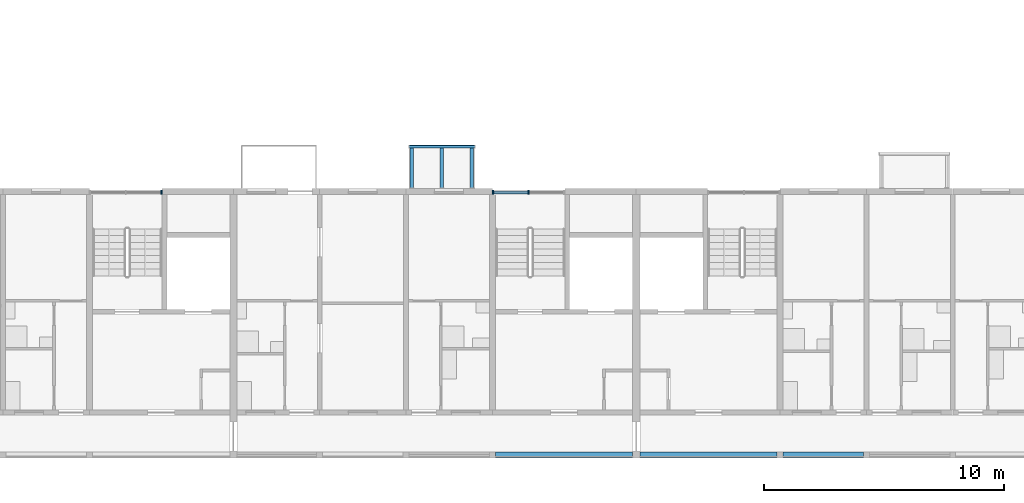
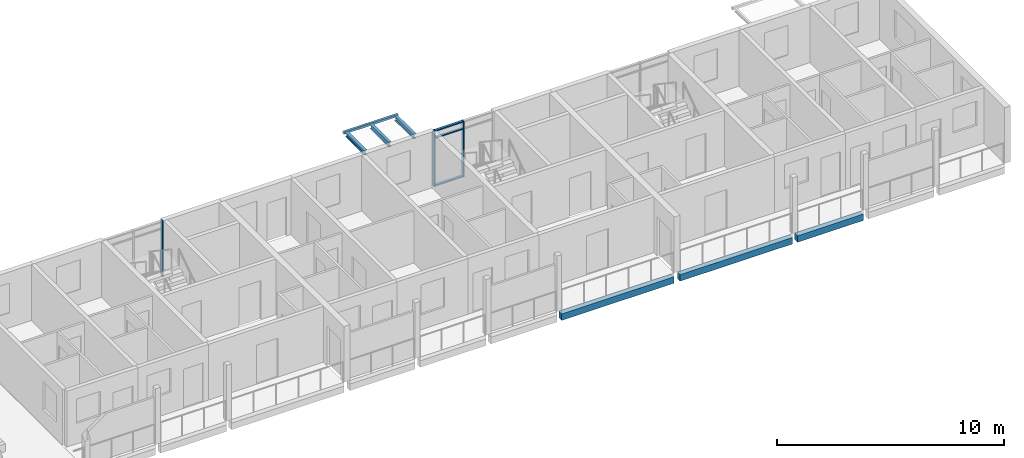
# One storey, part 9 of 78: 7 beams, 6 members, 2 elements without a shape of their own.
"""IFC4 building model written with IfcOpenShell, lengths in metres."""

from ifc_helpers import new_model, si_unit, direction, frame, origin, origin_2d, place, context, subcontext, project, spatial, rectangle, hollow_rectangle, i_section, extrude, material, material_profile, profile_set, type_object, element, aggregate, save


model = new_model("IFC4")

# Units and contexts
model_context = context("Model", 3, precision=1e-05, world=origin(), true_north=direction((0.0, 1.0)))
body_context = subcontext(model_context, "Body", "Model", "MODEL_VIEW")
ifc_project = project(units=[si_unit("LENGTHUNIT", "METRE"), si_unit("AREAUNIT", "SQUARE_METRE"), si_unit("VOLUMEUNIT", "CUBIC_METRE"), si_unit("PLANEANGLEUNIT", "RADIAN"), si_unit("MASSUNIT", "GRAM", prefix="KILO")], contexts=[model_context])

# Site, building, storey
site_placement = place(None, origin())
site = spatial("IfcSite", under=ifc_project, at=site_placement, CompositionType="ELEMENT")
building_placement = place(site_placement, origin())
building = spatial("IfcBuilding", under=site, at=building_placement, Name="Ridgestep Commons", CompositionType="ELEMENT")
storey_placement = place(building_placement, frame((0.0, 0.0, 30.0)))
storey = spatial("IfcBuildingStorey", under=building, at=storey_placement, Name="L10", CompositionType="ELEMENT", Elevation=30.0)

# Beams
ifc_material_1 = material(Name="Precast concrete C40/50", Category="concrete")
ifc_material_profile_1 = material_profile(ifc_material_1, rectangle(XDim=0.25, YDim=0.35009765625, at=origin_2d()), Name="PC 250x350")
ifc_profile_set_1 = profile_set([ifc_material_profile_1], Name="Precast concrete C40/50")
beam_type_1 = type_object("IfcBeamType", Name="Loggia edge beam 250 x 350", PredefinedType="SPANDREL", material=ifc_profile_set_1)
for number, where, z_axis, x_axis, name in (
    (1, (90.125, 11.875, -0.375), (1.0, 0.0, 0.0), (0.0, 1.0, 0.0), "Loggia edge beam A5C L10"),
    (2, (96.14990234375, 11.875, -0.375), (1.0, 0.0, 0.0), (0.0, 1.0, 0.0), "Loggia edge beam A6C L10"),
):
    element("IfcBeam", number, at=place(storey_placement, frame(where, z_axis=z_axis, x_axis=x_axis)), inside=storey, type_object=beam_type_1, Name=name, PredefinedType="SPANDREL", context=body_context, shape_type="SweptSolid", body=[
        extrude(rectangle(XDim=0.25, YDim=0.35009765625, at=origin_2d()), origin(), (0.0, 0.0, 1.0), 5.72509765625),
    ])
beam_1_placement = place(storey_placement, frame((102.125, 11.875, -0.375), z_axis=(1.0, 0.0, 0.0), x_axis=(0.0, 1.0, 0.0)))
element("IfcBeam", 3, at=beam_1_placement, inside=storey, type_object=beam_type_1, Name="Loggia edge beam A6T3 L10", PredefinedType="SPANDREL", context=body_context, shape_type="SweptSolid", body=[
    extrude(rectangle(XDim=0.25, YDim=0.35009765625, at=origin_2d()), origin(), (0.0, 0.0, 1.0), 3.35009765625),
])

# Curtain wall, member
ifc_material_2 = material(Name="Aluminium 6063-T6 and glass", Category="aluminium")
curtain_wall_type = type_object("IfcCurtainWallType", Name="Curtain wall stair strip", PredefinedType="NOTDEFINED", material=ifc_material_2)
curtain_wall_1_placement = place(storey_placement, origin())
curtain_wall_1 = element("IfcCurtainWall", 4, at=curtain_wall_1_placement, inside=storey, type_object=curtain_wall_type, Name="Curtain wall A4C level 10", PredefinedType="NOTDEFINED")
ifc_material_3 = material(Name="Aluminium 6063-T6", Category="aluminium")
ifc_material_profile_2 = material_profile(ifc_material_3, rectangle(XDim=0.159912109375, YDim=0.06005859375, at=origin_2d()), Name="Mullion 60 x 160")
ifc_profile_set_2 = profile_set([ifc_material_profile_2], Name="Aluminium 6063-T6")
member_type_1 = type_object("IfcMemberType", Name="Mullion 60 x 160", PredefinedType="MULLION", material=ifc_profile_set_2)
member_1_placement = place(storey_placement, frame((76.195068359375, 22.830078125, 0.0), z_axis=(0.0, 0.0, 1.0), x_axis=(0.0, 1.0, 0.0)))
member_1 = element("IfcMember", 5, at=member_1_placement, type_object=member_type_1, Name="CW1 mullion 3", PredefinedType="MULLION", context=body_context, shape_type="SweptSolid", body=[
    extrude(rectangle(XDim=0.159912109375, YDim=0.06005859375, at=origin_2d()), origin(), (0.0, 0.0, 1.0), 3.0),
])
aggregate(curtain_wall_1, [member_1])

# Curtain wall, members
curtain_wall_2_placement = place(storey_placement, origin())
curtain_wall_2 = element("IfcCurtainWall", 6, at=curtain_wall_2_placement, inside=storey, type_object=curtain_wall_type, Name="Curtain wall A5C level 10", PredefinedType="NOTDEFINED")
member_2_placement = place(storey_placement, frame((90.030029296875, 22.830078125, 0.0), z_axis=(0.0, 0.0, 1.0), x_axis=(0.0, 1.0, 0.0)))
member_2 = element("IfcMember", 7, at=member_2_placement, type_object=member_type_1, Name="CW1 mullion 1", PredefinedType="MULLION", context=body_context, shape_type="SweptSolid", body=[
    extrude(rectangle(XDim=0.159912109375, YDim=0.06005859375, at=origin_2d()), origin(), (0.0, 0.0, 1.0), 3.0),
])
member_3_placement = place(storey_placement, frame((91.512451171875, 22.830078125, 0.0), z_axis=(0.0, 0.0, 1.0), x_axis=(0.0, 1.0, 0.0)))
member_3 = element("IfcMember", 8, at=member_3_placement, type_object=member_type_1, Name="CW1 mullion 2", PredefinedType="MULLION", context=body_context, shape_type="SweptSolid", body=[
    extrude(rectangle(XDim=0.159912109375, YDim=0.06005859375, at=origin_2d()), origin(), (0.0, 0.0, 1.0), 3.0),
])
ifc_material_4 = material(Name="Aluminium 6063-T6", Category="aluminium")
ifc_material_profile_3 = material_profile(ifc_material_4, rectangle(XDim=0.1201171875, YDim=0.06005859375, at=origin_2d()), Name="Transom 60 x 120")
ifc_profile_set_3 = profile_set([ifc_material_profile_3], Name="Aluminium 6063-T6")
member_type_2 = type_object("IfcMemberType", Name="Transom 60 x 120", PredefinedType="USERDEFINED", material=ifc_profile_set_3)
member_4_placement = place(storey_placement, frame((90.06005859375, 22.830078125, 0.030029296875), z_axis=(1.0, 0.0, 0.0), x_axis=(0.0, 1.0, 0.0)))
member_4 = element("IfcMember", 9, at=member_4_placement, type_object=member_type_2, Name="CW1 transom 1.1", ObjectType="TRANSOM", PredefinedType="USERDEFINED", context=body_context, shape_type="SweptSolid", body=[
    extrude(rectangle(XDim=0.1201171875, YDim=0.06005859375, at=origin_2d()), origin(), (0.0, 0.0, 1.0), 1.42236328125),
])
member_5_placement = place(storey_placement, frame((90.06005859375, 22.830078125, 2.590087890625), z_axis=(1.0, 0.0, 0.0), x_axis=(0.0, 1.0, 0.0)))
member_5 = element("IfcMember", 10, at=member_5_placement, type_object=member_type_2, Name="CW1 transom 1.2", ObjectType="TRANSOM", PredefinedType="USERDEFINED", context=body_context, shape_type="SweptSolid", body=[
    extrude(rectangle(XDim=0.1201171875, YDim=0.06005859375, at=origin_2d()), origin(), (0.0, 0.0, 1.0), 1.42236328125),
])
member_6_placement = place(storey_placement, frame((90.06005859375, 22.830078125, 2.969970703125), z_axis=(1.0, 0.0, 0.0), x_axis=(0.0, 1.0, 0.0)))
member_6 = element("IfcMember", 11, at=member_6_placement, type_object=member_type_2, Name="CW1 transom 1.3", ObjectType="TRANSOM", PredefinedType="USERDEFINED", context=body_context, shape_type="SweptSolid", body=[
    extrude(rectangle(XDim=0.1201171875, YDim=0.06005859375, at=origin_2d()), origin(), (0.0, 0.0, 1.0), 1.42236328125),
])
aggregate(curtain_wall_2, [member_2, member_3, member_4, member_5, member_6])

# Beams
ifc_material_5 = material(Name="Weathering steel S355J2W", Category="steel")
ifc_material_profile_4 = material_profile(ifc_material_5, i_section(OverallWidth=0.14599609375, OverallDepth=0.25146484375, WebThickness=0.006103515625, FlangeThickness=0.008544921875, FilletRadius=0.007568359375, at=origin_2d()), Name="UB 254x146x31")
ifc_profile_set_4 = profile_set([ifc_material_profile_4], Name="Weathering steel S355J2W")
beam_type_2 = type_object("IfcBeamType", Name="Tray arm UB 254x146x31", PredefinedType="BEAM", material=ifc_profile_set_4)
for number, where, z_axis, x_axis, name in (
    (12, (86.64990234375, 23.014892578125, 2.8642578125), (0.0, 1.0, 0.0), (-1.0, 0.0, 0.0), "Tray arm A5T3-11.1"),
    (13, (87.89990234375, 23.014892578125, 2.8642578125), (0.0, 1.0, 0.0), (-1.0, 0.0, 0.0), "Tray arm A5T3-11.2"),
    (14, (89.14990234375, 23.014892578125, 2.8642578125), (0.0, 1.0, 0.0), (-1.0, 0.0, 0.0), "Tray arm A5T3-11.3"),
):
    element("IfcBeam", number, at=place(storey_placement, frame(where, z_axis=z_axis, x_axis=x_axis)), inside=storey, type_object=beam_type_2, Name=name, PredefinedType="BEAM", context=body_context, shape_type="SweptSolid", body=[
        extrude(i_section(OverallWidth=0.14599609375, OverallDepth=0.25146484375, WebThickness=0.006103515625, FlangeThickness=0.008544921875, FilletRadius=0.007568359375, at=origin_2d()), origin(), (0.0, 0.0, 1.0), 1.6650390625),
    ])
ifc_material_6 = material(Name="Weathering steel S355J2W", Category="steel")
ifc_material_profile_5 = material_profile(ifc_material_6, hollow_rectangle(XDim=0.1201171875, YDim=0.1201171875, WallThickness=0.00634765625, InnerFilletRadius=0.00634765625, OuterFilletRadius=0.009521484375, at=origin_2d()), Name="SHS 120x120x6.3")
ifc_profile_set_5 = profile_set([ifc_material_profile_5], Name="Weathering steel S355J2W")
beam_type_3 = type_object("IfcBeamType", Name="Tray edge member SHS 120x120x6.3", PredefinedType="BEAM", material=ifc_profile_set_5)
beam_2_placement = place(storey_placement, frame((86.530029296875, 24.739990234375, 2.929931640625), z_axis=(1.0, 0.0, 0.0), x_axis=(0.0, 0.0, 1.0)))
element("IfcBeam", 15, at=beam_2_placement, inside=storey, type_object=beam_type_3, Name="Tray edge member A5T3-11", PredefinedType="BEAM", context=body_context, shape_type="SweptSolid", body=[
    extrude(hollow_rectangle(XDim=0.1201171875, YDim=0.1201171875, WallThickness=0.00634765625, InnerFilletRadius=0.00634765625, OuterFilletRadius=0.009521484375, at=origin_2d()), origin(), (0.0, 0.0, 1.0), 2.739990234375),
])

save(model, "model.ifc")
